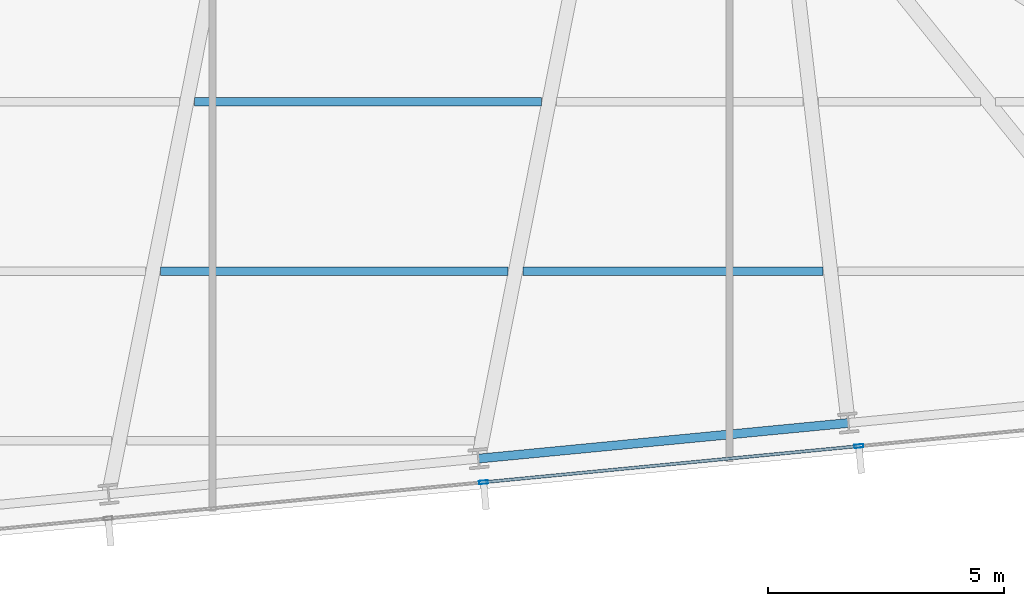
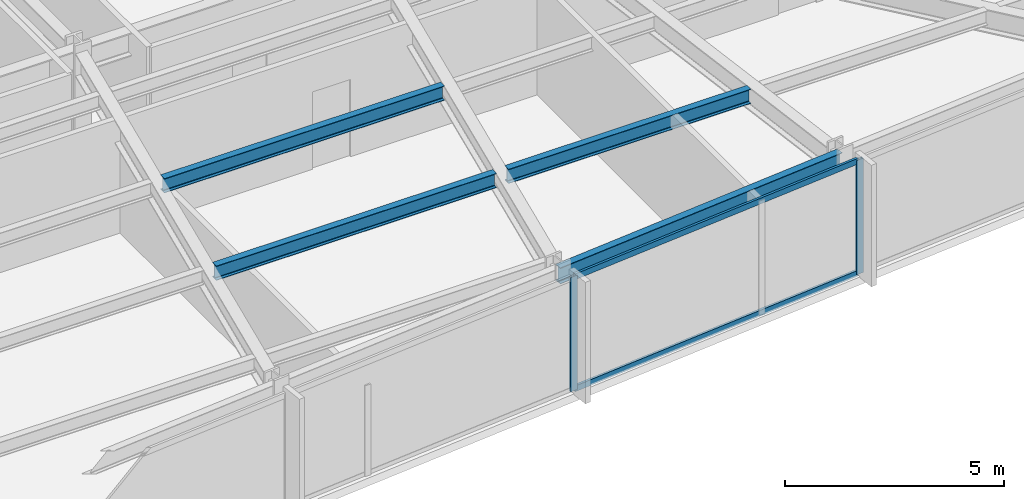
# One storey, part 10 of 32: 4 beams, 4 members, 1 element without a shape of its own.
"""IFC4 building model written with IfcOpenShell, lengths in metres."""

import ifcopenshell
import ifcopenshell.guid

model = None  # the IFC model being written
_history = None  # IfcOwnerHistory: only IFC2X3 demands one
_inside = {}  # id of a spatial element -> (the spatial element, [elements in it])
_under = {}  # id of a project, library or spatial element -> (it, [spatial elements below it])
_declared = {}  # id of a project -> (the project, [libraries it declares])
_typed = {}  # id of a type object -> (the type object, [elements of that type])
_made_of = {}  # id of a material, layer set ... -> (it, [elements and type objects made of it])


def new_model(schema):
    """Start an empty IFC model of exactly this schema.

    Asked for "IFC4X3", IfcOpenShell would pick the latest addendum, in which some entities
    have other attributes; the version numbers below select the first issue.
    IFC2X3 requires an IfcOwnerHistory on every rooted entity: one is made here for all.
    """
    global model, _history
    if schema == "IFC4X3":
        model = ifcopenshell.file(schema_version=(4, 3, 0, 0))
    else:
        model = ifcopenshell.file(schema=schema)
    _inside.clear()
    _under.clear()
    _declared.clear()
    _typed.clear()
    _made_of.clear()
    _history = None
    if model.schema == "IFC2X3":
        org = make("IfcOrganization", Name="unknown")
        user = make(
            "IfcPersonAndOrganization",
            ThePerson=make("IfcPerson", FamilyName="unknown"),
            TheOrganization=org,
        )
        app = make(
            "IfcApplication",
            ApplicationDeveloper=org,
            Version="unknown",
            ApplicationFullName="unknown",
            ApplicationIdentifier="unknown",
        )
        _history = make(
            "IfcOwnerHistory",
            OwningUser=user,
            OwningApplication=app,
            ChangeAction="ADDED",
            CreationDate=0,
        )
    return model


def make(cls, **values):
    """One entity of the class cls with the attributes given. An attribute that is None is left unset."""
    return model.create_entity(
        cls, **{name: value for name, value in values.items() if value is not None}
    )


def rooted(cls, **values):
    """An entity with a GlobalId (a new one), such as an element, a storey or a relation."""
    return make(cls, GlobalId=ifcopenshell.guid.new(), OwnerHistory=_history, **values)


def si_unit(unit_type, name, prefix=None):
    """IfcSIUnit, for example si_unit("LENGTHUNIT", "METRE", prefix="MILLI")."""
    return make("IfcSIUnit", UnitType=unit_type, Prefix=prefix, Name=name)


def assignment(units):
    """IfcUnitAssignment: the units of a project."""
    return None if units is None else make("IfcUnitAssignment", Units=units)


def point(xyz):
    """IfcCartesianPoint."""
    return None if xyz is None else make("IfcCartesianPoint", Coordinates=xyz)


def direction(xyz):
    """IfcDirection."""
    return None if xyz is None else make("IfcDirection", DirectionRatios=xyz)


def frame(location, z_axis=None, x_axis=None):
    """IfcAxis2Placement3D, a coordinate frame: its origin and axes. An axis left out is left unset."""
    return make(
        "IfcAxis2Placement3D",
        Location=point(location),
        Axis=direction(z_axis),
        RefDirection=direction(x_axis),
    )


def frame_2d(location, x_axis=None):
    """IfcAxis2Placement2D, a coordinate frame in the plane: its origin and x axis."""
    return make(
        "IfcAxis2Placement2D", Location=point(location), RefDirection=direction(x_axis)
    )


def origin():
    """The frame at (0, 0, 0) with its axes left unset."""
    return frame((0.0, 0.0, 0.0))


def origin_2d():
    """The frame at (0, 0) in the plane with its x axis left unset."""
    return frame_2d((0.0, 0.0))


def place(relative_to, where):
    """IfcLocalPlacement: puts the frame where relative to a parent placement (None: the world)."""
    return make(
        "IfcLocalPlacement", PlacementRelTo=relative_to, RelativePlacement=where
    )


def context(
    kind, dimensions, precision=None, world=None, true_north=None, identifier=None
):
    """IfcGeometricRepresentationContext, for example the 3D "Model" context."""
    return make(
        "IfcGeometricRepresentationContext",
        ContextIdentifier=identifier,
        ContextType=kind,
        CoordinateSpaceDimension=dimensions,
        Precision=precision,
        WorldCoordinateSystem=world,
        TrueNorth=true_north,
    )


def subcontext(parent, identifier, kind, view, scale=None):
    """IfcGeometricRepresentationSubContext, for example "Body" below "Model"."""
    return make(
        "IfcGeometricRepresentationSubContext",
        ContextIdentifier=identifier,
        ContextType=kind,
        ParentContext=parent,
        TargetScale=scale,
        TargetView=view,
    )


def project(units=None, contexts=None):
    """IfcProject with its units and contexts."""
    return rooted(
        "IfcProject",
        Name="project",
        RepresentationContexts=contexts,
        UnitsInContext=assignment(units),
    )


def spatial(cls, under=None, at=None, **own):
    """A site, building, storey or space (cls), placed at a placement, below another one or the project."""
    s = rooted(cls, ObjectPlacement=at, **own)
    if under is not None:
        _under.setdefault(under.id(), (under, []))[1].append(s)
    return s


def profile(cls, at=None, kind="AREA", **sizes):
    """A parametric profile (cls). Its sizes go by their IFC names, for example OverallWidth=200.0."""
    return make(cls, ProfileType=kind, Position=at, **sizes)


def hollow_rectangle(**sizes):
    """IfcRectangleHollowProfileDef."""
    return profile("IfcRectangleHollowProfileDef", **sizes)


def i_section(**sizes):
    """IfcIShapeProfileDef."""
    return profile("IfcIShapeProfileDef", **sizes)


def extrude(swept, where, along, depth):
    """IfcExtrudedAreaSolid: the profile swept, set in the frame where, extruded along a direction by depth."""
    return make(
        "IfcExtrudedAreaSolid",
        SweptArea=swept,
        Position=where,
        ExtrudedDirection=direction(along),
        Depth=depth,
    )


def shape(context_of_items, identifier, shape_type, items):
    """IfcShapeRepresentation: the items that make up one representation, for example the "Body"."""
    return make(
        "IfcShapeRepresentation",
        ContextOfItems=context_of_items,
        RepresentationIdentifier=identifier,
        RepresentationType=shape_type,
        Items=items,
    )


def material(Name=None, Category=None):
    """IfcMaterial."""
    return make("IfcMaterial", Name=Name, Category=Category)


def material_profile(
    of_material, cross_section, Name=None, Category=None, Priority=None
):
    """IfcMaterialProfile: a cross section and its material."""
    return make(
        "IfcMaterialProfile",
        Name=Name,
        Material=of_material,
        Profile=cross_section,
        Priority=Priority,
        Category=Category,
    )


def profile_set(profiles, Name=None, composite=None):
    """IfcMaterialProfileSet."""
    return make(
        "IfcMaterialProfileSet",
        Name=Name,
        MaterialProfiles=profiles,
        CompositeProfile=composite,
    )


def made_of(thing, what):
    """Note that an element or type object is made of a material, layer set ...; save() writes the relation."""
    if what is not None:
        _made_of.setdefault(what.id(), (what, []))[1].append(thing)
    return thing


def type_object(cls, material=None, **own):
    """A type object (cls), such as IfcWallType, which elements share."""
    return made_of(rooted(cls, **own), material)


def element(
    cls,
    number,
    at=None,
    inside=None,
    cuts=None,
    type_object=None,
    material=None,
    context=None,
    identifier="Body",
    shape_type=None,
    held_by="IfcProductDefinitionShape",
    body=None,
    shapes=None,
    **own,
):
    """One element of the class cls, such as IfcWall. Its Tag is "e" and its number.

    at: its placement. inside: the storey or other place that contains it. cuts: it is an
    opening in that element (IfcRelVoidsElement). A single representation is given by context,
    identifier, shape_type and body (its items); several are given by shapes. held_by: the class
    of the entity that holds the representations. save() writes the other relations.
    """
    e = rooted(cls, Tag="e%d" % number, ObjectPlacement=at, **own)
    if body is not None:
        shapes = [shape(context, identifier, shape_type, body)]
    if shapes is not None:
        e.Representation = make(held_by, Representations=shapes)
    if inside is not None:
        _inside.setdefault(inside.id(), (inside, []))[1].append(e)
    if cuts is not None:
        rooted(
            "IfcRelVoidsElement", RelatingBuildingElement=cuts, RelatedOpeningElement=e
        )
    if type_object is not None:
        _typed.setdefault(type_object.id(), (type_object, []))[1].append(e)
    return made_of(e, material)


def aggregate(whole, parts):
    """IfcRelAggregates: a whole, such as a stair, and the parts it consists of."""
    return rooted("IfcRelAggregates", RelatingObject=whole, RelatedObjects=parts)


def save(model, path):
    """Write the relations noted so far, then the file.

    IfcRelAggregates (storeys below a building ...), IfcRelContainedInSpatialStructure (elements
    in a storey), IfcRelDefinesByType, IfcRelAssociatesMaterial and IfcRelDeclares: one each for
    every whole, place, type object, material and project.
    """
    for whole, parts in _under.values():
        aggregate(whole, parts)
    for where, things in _inside.values():
        rooted(
            "IfcRelContainedInSpatialStructure",
            RelatedElements=things,
            RelatingStructure=where,
        )
    for kind, things in _typed.values():
        rooted("IfcRelDefinesByType", RelatedObjects=things, RelatingType=kind)
    for what, things in _made_of.values():
        rooted("IfcRelAssociatesMaterial", RelatedObjects=things, RelatingMaterial=what)
    for by, libraries in _declared.values():
        rooted("IfcRelDeclares", RelatingContext=by, RelatedDefinitions=libraries)
    model.write(path)


model = new_model("IFC4")

# Units and contexts
model_context = context("Model", 3, precision=1e-05, world=origin(), true_north=direction((0.0, 1.0)))
body_context = subcontext(model_context, "Body", "Model", "MODEL_VIEW")
ifc_project = project(units=[si_unit("LENGTHUNIT", "METRE"), si_unit("AREAUNIT", "SQUARE_METRE"), si_unit("VOLUMEUNIT", "CUBIC_METRE"), si_unit("PLANEANGLEUNIT", "RADIAN"), si_unit("MASSUNIT", "GRAM", prefix="KILO")], contexts=[model_context])

# Site, building, storey
site_placement = place(None, origin())
site = spatial("IfcSite", under=ifc_project, at=site_placement, CompositionType="ELEMENT")
building_placement = place(site_placement, origin())
building = spatial("IfcBuilding", under=site, at=building_placement, Name="Yelkora Congress Tower", CompositionType="ELEMENT")
storey_placement = place(building_placement, frame((0.0, 0.0, 96.5)))
storey = spatial("IfcBuildingStorey", under=building, at=storey_placement, Name="L25", CompositionType="ELEMENT", Elevation=96.5)

# Beams
ifc_material_1 = material(Name="Steel S355J2", Category="steel")
ifc_material_profile_1 = material_profile(ifc_material_1, i_section(OverallWidth=0.179931640625, OverallDepth=0.39990234375, WebThickness=0.008544921875, FlangeThickness=0.013427734375, FilletRadius=0.02099609375, at=origin_2d()), Name="IPE 400")
ifc_profile_set_1 = profile_set([ifc_material_profile_1], Name="Steel S355J2")
beam_type_1 = type_object("IfcBeamType", Name="BM-JOIST-IPE400", PredefinedType="JOIST", material=ifc_profile_set_1)
beam_1_placement = place(storey_placement, frame((44.436767578125, 16.144287109375, 2.97998046875), z_axis=(1.0, 0.0, 0.0), x_axis=(0.0, 1.0, 0.0)))
element("IfcBeam", 1, at=beam_1_placement, inside=storey, type_object=beam_type_1, Name="L25 Composite Floor Joist 7", PredefinedType="JOIST", context=body_context, shape_type="SweptSolid", body=[
    extrude(i_section(OverallWidth=0.179931640625, OverallDepth=0.39990234375, WebThickness=0.008544921875, FlangeThickness=0.013427734375, FilletRadius=0.02099609375, at=origin_2d()), origin(), (0.0, 0.0, 1.0), 7.373046875),
])
beam_2_placement = place(storey_placement, frame((52.1298828125, 16.144287109375, 2.97998046875), z_axis=(1.0, 0.0, 0.0), x_axis=(0.0, 1.0, 0.0)))
element("IfcBeam", 2, at=beam_2_placement, inside=storey, type_object=beam_type_1, Name="L25 Composite Floor Joist 8", PredefinedType="JOIST", context=body_context, shape_type="SweptSolid", body=[
    extrude(i_section(OverallWidth=0.179931640625, OverallDepth=0.39990234375, WebThickness=0.008544921875, FlangeThickness=0.013427734375, FilletRadius=0.02099609375, at=origin_2d()), origin(), (0.0, 0.0, 1.0), 6.3671875),
])
beam_3_placement = place(storey_placement, frame((45.153564453125, 19.744384765625, 2.97998046875), z_axis=(1.0, 0.0, 0.0), x_axis=(0.0, 1.0, 0.0)))
element("IfcBeam", 3, at=beam_3_placement, inside=storey, type_object=beam_type_1, Name="L25 Composite Floor Joist 14", PredefinedType="JOIST", context=body_context, shape_type="SweptSolid", body=[
    extrude(i_section(OverallWidth=0.179931640625, OverallDepth=0.39990234375, WebThickness=0.008544921875, FlangeThickness=0.013427734375, FilletRadius=0.02099609375, at=origin_2d()), origin(), (0.0, 0.0, 1.0), 7.367919921875),
])
ifc_material_profile_2 = material_profile(ifc_material_1, i_section(OverallWidth=0.18994140625, OverallDepth=0.449951171875, WebThickness=0.009521484375, FlangeThickness=0.0146484375, FilletRadius=0.02099609375, at=origin_2d()), Name="IPE 450")
ifc_profile_set_2 = profile_set([ifc_material_profile_2], Name="Steel S355J2")
beam_type_2 = type_object("IfcBeamType", Name="BM-SPAN-IPE450", PredefinedType="SPANDREL", material=ifc_profile_set_2)
beam_4_placement = place(storey_placement, frame((51.18359375, 12.16748046875, 2.955078125), z_axis=(0.995395860104, 0.095849265454, 0.0), x_axis=(-0.095849265454, 0.995395860104, 0.0)))
element("IfcBeam", 4, at=beam_4_placement, inside=storey, type_object=beam_type_2, Name="L25 Perimeter Beam 7", PredefinedType="SPANDREL", context=body_context, shape_type="SweptSolid", body=[
    extrude(i_section(OverallWidth=0.18994140625, OverallDepth=0.449951171875, WebThickness=0.009521484375, FlangeThickness=0.0146484375, FilletRadius=0.02099609375, at=origin_2d()), origin(), (0.0, 0.0, 1.0), 7.885986328125),
])

# Curtain wall, members
ifc_material_2 = material(Name="Anodised aluminium and insulated glass", Category="aluminium")
curtain_wall_type = type_object("IfcCurtainWallType", Name="CW-SYS-B2", PredefinedType="NOTDEFINED", material=ifc_material_2)
curtain_wall_placement = place(storey_placement, origin())
curtain_wall = element("IfcCurtainWall", 5, at=curtain_wall_placement, inside=storey, type_object=curtain_wall_type, Name="L25 Unitised Curtain Wall 20", PredefinedType="NOTDEFINED")
ifc_material_3 = material(Name="Anodised aluminium 6063-T6", Category="aluminium")
ifc_material_profile_3 = material_profile(ifc_material_3, hollow_rectangle(XDim=0.070068359375, YDim=0.18994140625, WallThickness=0.00390625, at=origin_2d()), Name="ALU 70x190x4")
ifc_profile_set_3 = profile_set([ifc_material_profile_3], Name="Anodised aluminium 6063-T6")
member_type_1 = type_object("IfcMemberType", Name="MEM-ML-B2", PredefinedType="MULLION", material=ifc_profile_set_3)
member_1_placement = place(storey_placement, frame((59.2568359375, 12.4326171875, 0.0), z_axis=(0.0, 0.0, 1.0), x_axis=(0.095844345816, -0.995396333816, 0.0)))
member_1 = element("IfcMember", 6, at=member_1_placement, type_object=member_type_1, Name="CW-B2 mullion 3", PredefinedType="MULLION", context=body_context, shape_type="SweptSolid", body=[
    extrude(hollow_rectangle(XDim=0.070068359375, YDim=0.18994140625, WallThickness=0.00390625, at=origin_2d()), origin(), (0.0, 0.0, 1.0), 3.179931640625),
])
member_2_placement = place(storey_placement, frame((51.290771484375, 11.66552734375, 0.0), z_axis=(0.0, 0.0, 1.0), x_axis=(0.095844345816, -0.995396333816, 0.0)))
member_2 = element("IfcMember", 7, at=member_2_placement, type_object=member_type_1, Name="CW-B2 mullion 4", PredefinedType="MULLION", context=body_context, shape_type="SweptSolid", body=[
    extrude(hollow_rectangle(XDim=0.070068359375, YDim=0.18994140625, WallThickness=0.00390625, at=origin_2d()), origin(), (0.0, 0.0, 1.0), 3.179931640625),
])
ifc_material_profile_4 = material_profile(ifc_material_3, hollow_rectangle(XDim=0.06494140625, YDim=0.159912109375, WallThickness=0.00390625, at=origin_2d()), Name="ALU 65x160x4")
ifc_profile_set_4 = profile_set([ifc_material_profile_4], Name="Anodised aluminium 6063-T6")
member_type_2 = type_object("IfcMemberType", Name="MEM-TR-B2", PredefinedType="USERDEFINED", material=ifc_profile_set_4)
member_3_placement = place(storey_placement, frame((59.221923828125, 12.42919921875, 0.032470703125), z_axis=(-0.995397010735, -0.095837315383, 0.0), x_axis=(0.095837315383, -0.995397010735, 0.0)))
member_3 = element("IfcMember", 8, at=member_3_placement, type_object=member_type_2, Name="CW-B2 transom 3.1", ObjectType="TRANSOM", PredefinedType="USERDEFINED", context=body_context, shape_type="SweptSolid", body=[
    extrude(hollow_rectangle(XDim=0.06494140625, YDim=0.159912109375, WallThickness=0.00390625, at=origin_2d()), origin(), (0.0, 0.0, 1.0), 7.932861328125),
])
member_4_placement = place(storey_placement, frame((59.221923828125, 12.42919921875, 3.1474609375), z_axis=(-0.995397010735, -0.095837315383, 0.0), x_axis=(0.095837315383, -0.995397010735, 0.0)))
member_4 = element("IfcMember", 9, at=member_4_placement, type_object=member_type_2, Name="CW-B2 transom 3.2", ObjectType="TRANSOM", PredefinedType="USERDEFINED", context=body_context, shape_type="SweptSolid", body=[
    extrude(hollow_rectangle(XDim=0.06494140625, YDim=0.159912109375, WallThickness=0.00390625, at=origin_2d()), origin(), (0.0, 0.0, 1.0), 7.932861328125),
])
aggregate(curtain_wall, [member_1, member_2, member_3, member_4])

save(model, "model.ifc")
